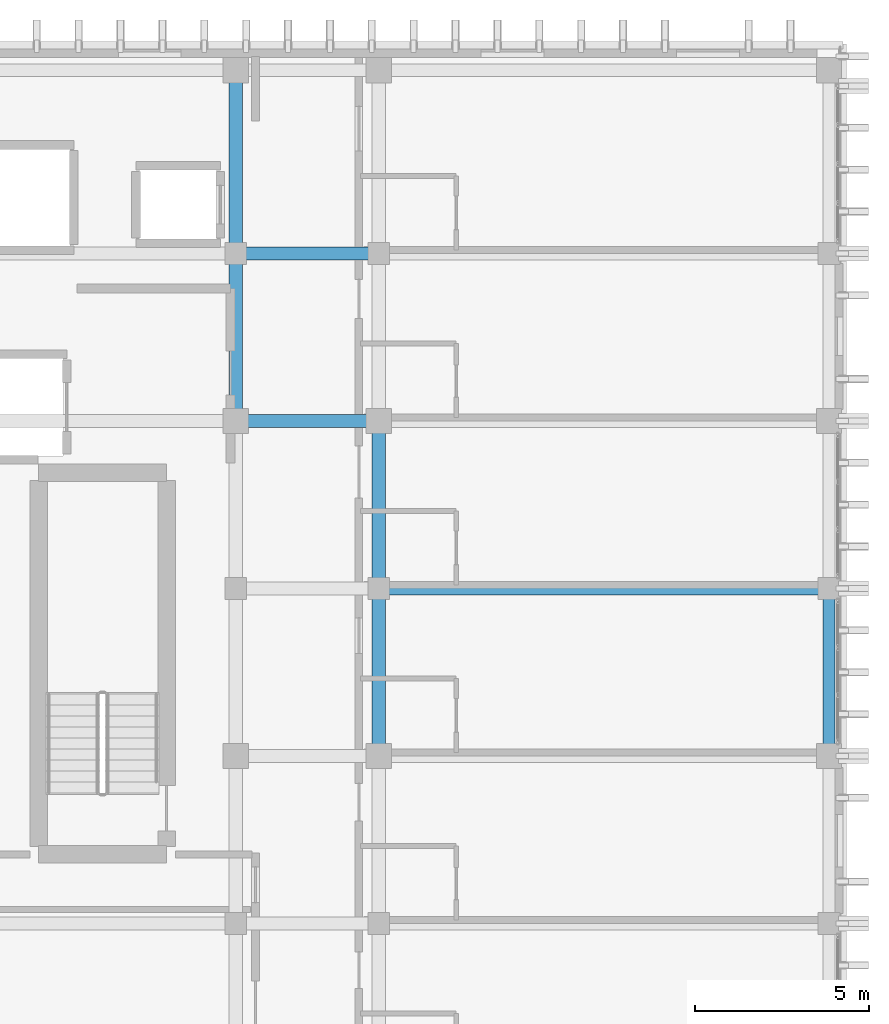
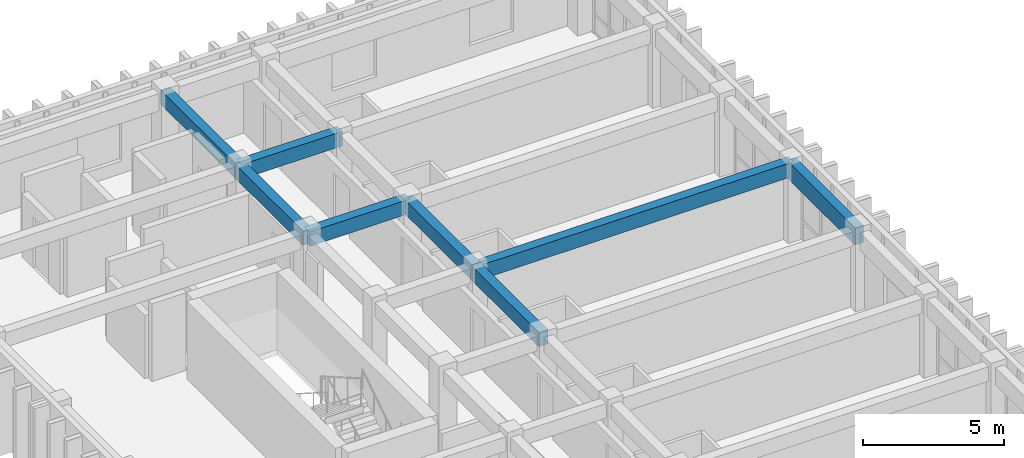
# One storey, part 38 of 59: 8 beams.
"""IFC4 building model written with IfcOpenShell, lengths in metres."""

from ifc_helpers import new_model, si_unit, direction, frame, origin, origin_2d, place, context, subcontext, project, spatial, rectangle, extrude, material, material_profile, profile_set, type_object, element, save


model = new_model("IFC4")

# Units and contexts
model_context = context("Model", 3, precision=1e-05, world=origin(), true_north=direction((0.0, 1.0)))
body_context = subcontext(model_context, "Body", "Model", "MODEL_VIEW")
ifc_project = project(units=[si_unit("LENGTHUNIT", "METRE"), si_unit("AREAUNIT", "SQUARE_METRE"), si_unit("VOLUMEUNIT", "CUBIC_METRE"), si_unit("PLANEANGLEUNIT", "RADIAN"), si_unit("MASSUNIT", "GRAM", prefix="KILO")], contexts=[model_context])

# Site, building, storey
site_placement = place(None, origin())
site = spatial("IfcSite", under=ifc_project, at=site_placement, CompositionType="ELEMENT")
building_placement = place(site_placement, origin())
building = spatial("IfcBuilding", under=site, at=building_placement, Name="Nakhvara Creek Congress Hotel", CompositionType="ELEMENT")
storey_placement = place(building_placement, frame((0.0, 0.0, 31.800048828125)))
storey = spatial("IfcBuildingStorey", under=building, at=storey_placement, Name="L07", CompositionType="ELEMENT", Elevation=31.800048828125)

# Beams
ifc_material = material(Name="Concrete C40/50", Category="concrete")
ifc_material_profile_1 = material_profile(ifc_material, rectangle(XDim=0.3798828125, YDim=0.6201171875, at=origin_2d()), Name="RC-BM 380x620", Category="LoadBearing")
ifc_profile_set_1 = profile_set([ifc_material_profile_1], Name="Concrete C40/50")
beam_type_1 = type_object("IfcBeamType", Name="BM-RC-380X620", PredefinedType="BEAM", material=ifc_profile_set_1)
beam_1_placement = place(storey_placement, frame((162.35009765625, 115.199951171875, 3.050048828125), z_axis=(1.0, 0.0, 0.0), x_axis=(0.0, 1.0, 0.0)))
element("IfcBeam", 1, at=beam_1_placement, inside=storey, type_object=beam_type_1, Name="Beam B10-L07-2361", PredefinedType="BEAM", context=body_context, shape_type="SweptSolid", body=[
    extrude(rectangle(XDim=0.3798828125, YDim=0.6201171875, at=origin_2d()), origin(), (0.0, 0.0, 1.0), 4.099853515625),
])
beam_2_placement = place(storey_placement, frame((162.35009765625, 115.199951171875, 3.050048828125), z_axis=(0.0, 1.0, 0.0), x_axis=(-1.0, 0.0, 0.0)))
element("IfcBeam", 2, at=beam_2_placement, inside=storey, type_object=beam_type_1, Name="Beam B10-L07-2363", PredefinedType="BEAM", context=body_context, shape_type="SweptSolid", body=[
    extrude(rectangle(XDim=0.3798828125, YDim=0.6201171875, at=origin_2d()), origin(), (0.0, 0.0, 1.0), 4.800048828125),
])
beam_3_placement = place(storey_placement, frame((162.35009765625, 120.0, 3.050048828125), z_axis=(0.0, 1.0, 0.0), x_axis=(-1.0, 0.0, 0.0)))
element("IfcBeam", 3, at=beam_3_placement, inside=storey, type_object=beam_type_1, Name="Beam B10-L07-2365", PredefinedType="BEAM", context=body_context, shape_type="SweptSolid", body=[
    extrude(rectangle(XDim=0.3798828125, YDim=0.6201171875, at=origin_2d()), origin(), (0.0, 0.0, 1.0), 5.25),
])
beam_4_placement = place(storey_placement, frame((166.449951171875, 105.60009765625, 3.050048828125), z_axis=(0.0, 1.0, 0.0), x_axis=(-1.0, 0.0, 0.0)))
element("IfcBeam", 4, at=beam_4_placement, inside=storey, type_object=beam_type_1, Name="Beam B10-L07-2385", PredefinedType="BEAM", context=body_context, shape_type="SweptSolid", body=[
    extrude(rectangle(XDim=0.3798828125, YDim=0.6201171875, at=origin_2d()), origin(), (0.0, 0.0, 1.0), 4.7998046875),
])
beam_5_placement = place(storey_placement, frame((166.449951171875, 110.39990234375, 3.050048828125), z_axis=(0.0, 1.0, 0.0), x_axis=(-1.0, 0.0, 0.0)))
element("IfcBeam", 5, at=beam_5_placement, inside=storey, type_object=beam_type_1, Name="Beam B10-L07-2387", PredefinedType="BEAM", context=body_context, shape_type="SweptSolid", body=[
    extrude(rectangle(XDim=0.3798828125, YDim=0.6201171875, at=origin_2d()), origin(), (0.0, 0.0, 1.0), 4.800048828125),
])
beam_6_placement = place(storey_placement, frame((162.35009765625, 120.0, 3.050048828125), z_axis=(1.0, 0.0, 0.0), x_axis=(0.0, 1.0, 0.0)))
element("IfcBeam", 6, at=beam_6_placement, inside=storey, type_object=beam_type_1, Name="Beam B10-L07-2420", PredefinedType="BEAM", context=body_context, shape_type="SweptSolid", body=[
    extrude(rectangle(XDim=0.3798828125, YDim=0.6201171875, at=origin_2d()), origin(), (0.0, 0.0, 1.0), 4.099853515625),
])
beam_7_placement = place(storey_placement, frame((166.449951171875, 110.39990234375, 3.050048828125), z_axis=(1.0, 0.0, 0.0), x_axis=(0.0, 1.0, 0.0)))
element("IfcBeam", 7, at=beam_7_placement, inside=storey, type_object=beam_type_1, Name="Beam B10-L07-2427", PredefinedType="BEAM", context=body_context, shape_type="SweptSolid", body=[
    extrude(rectangle(XDim=0.3798828125, YDim=0.6201171875, at=origin_2d()), origin(), (0.0, 0.0, 1.0), 12.900146484375),
])
ifc_material_profile_2 = material_profile(ifc_material, rectangle(XDim=0.35009765625, YDim=0.75, at=origin_2d()), Name="RC-SPANDREL 350x750", Category="LoadBearing")
ifc_profile_set_2 = profile_set([ifc_material_profile_2], Name="Concrete C40/50")
beam_type_2 = type_object("IfcBeamType", Name="BM-SPN-350X750", PredefinedType="SPANDREL", material=ifc_profile_set_2)
beam_8_placement = place(storey_placement, frame((179.35009765625, 105.60009765625, 2.98486328125), z_axis=(0.0, 1.0, 0.0), x_axis=(-1.0, 0.0, 0.0)))
element("IfcBeam", 8, at=beam_8_placement, inside=storey, type_object=beam_type_2, Name="Beam SP1-L07-2403", PredefinedType="SPANDREL", context=body_context, shape_type="SweptSolid", body=[
    extrude(rectangle(XDim=0.35009765625, YDim=0.75, at=origin_2d()), origin(), (0.0, 0.0, 1.0), 4.7998046875),
])

save(model, "model.ifc")
